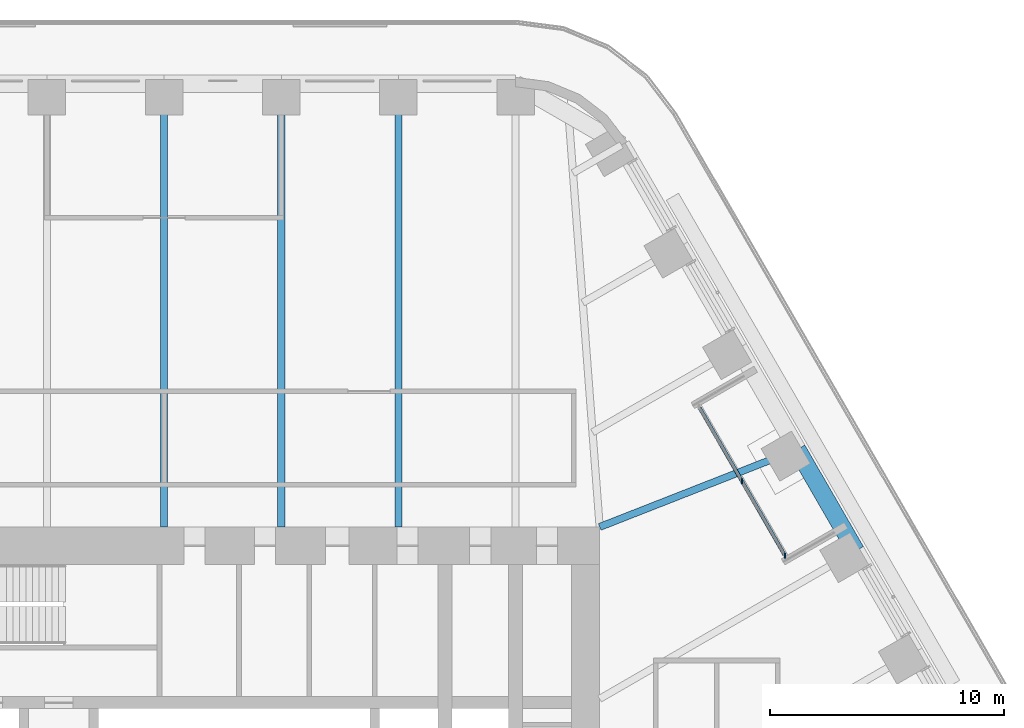
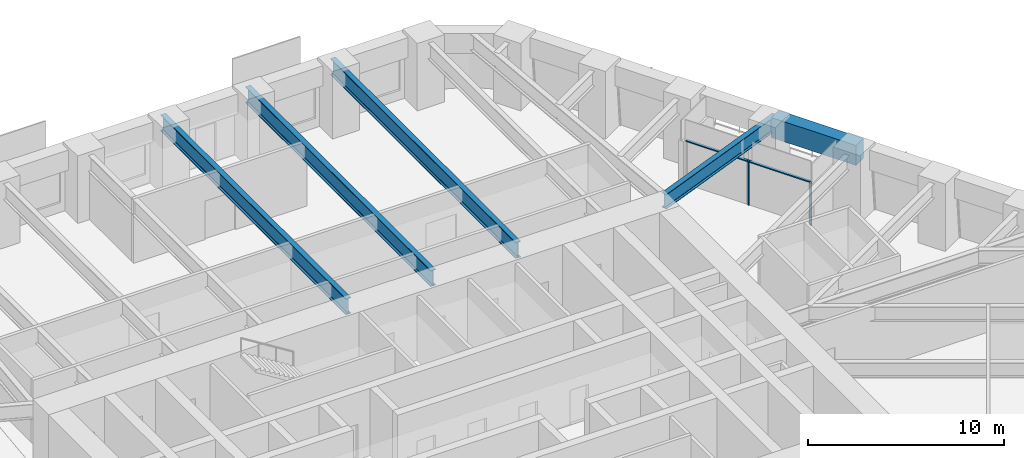
# One storey, part 11 of 24: 5 beams, 3 members, 1 element without a shape of its own.
"""IFC4 building model written with IfcOpenShell, lengths in metres."""

from ifc_helpers import new_model, si_unit, direction, frame, origin, origin_2d, place, context, subcontext, project, spatial, rectangle, i_section, extrude, material, material_profile, profile_set, type_object, element, aggregate, save


model = new_model("IFC4")

# Units and contexts
model_context = context("Model", 3, precision=1e-05, world=origin(), true_north=direction((0.0, 1.0)))
body_context = subcontext(model_context, "Body", "Model", "MODEL_VIEW")
ifc_project = project(units=[si_unit("LENGTHUNIT", "METRE"), si_unit("AREAUNIT", "SQUARE_METRE"), si_unit("VOLUMEUNIT", "CUBIC_METRE"), si_unit("PLANEANGLEUNIT", "RADIAN"), si_unit("MASSUNIT", "GRAM", prefix="KILO")], contexts=[model_context])

# Site, building, storey
site_placement = place(None, origin())
site = spatial("IfcSite", under=ifc_project, at=site_placement, CompositionType="ELEMENT")
building_placement = place(site_placement, origin())
building = spatial("IfcBuilding", under=site, at=building_placement, Name="Tarfa Lantern Tower", CompositionType="ELEMENT")
storey_placement = place(building_placement, frame((0.0, 0.0, 153.10009765625)))
storey = spatial("IfcBuildingStorey", under=building, at=storey_placement, Name="L34", CompositionType="ELEMENT", Elevation=153.10009765625)

# Curtain wall, members
ifc_material_1 = material(Name="Aluminium framed curtain wall", Category="aluminium")
curtain_wall_type = type_object("IfcCurtainWallType", Name="CW10 LOGGIA GLAZING 2750", PredefinedType="USERDEFINED", material=ifc_material_1)
curtain_wall_placement = place(storey_placement, origin())
curtain_wall = element("IfcCurtainWall", 1, at=curtain_wall_placement, inside=storey, type_object=curtain_wall_type, Name="CW10 NEL L34", ObjectType="CURTAIN WALL", PredefinedType="USERDEFINED")
ifc_material_2 = material(Name="Aluminium mullion", Category="aluminium")
ifc_material_profile_1 = material_profile(ifc_material_2, rectangle(XDim=0.06494140625, YDim=0.199951171875, at=origin_2d()), Name="AL MULLION 65x200")
ifc_profile_set_1 = profile_set([ifc_material_profile_1], Name="Aluminium mullion")
member_type_1 = type_object("IfcMemberType", Name="CWM1 MULLION 65x200", PredefinedType="MULLION", material=ifc_profile_set_1)
member_1_placement = place(storey_placement, frame((26.517333984375, 11.070556640625, 0.0), z_axis=(0.0, 0.0, 1.0), x_axis=(1.0, 0.0, 0.0)))
member_1 = element("IfcMember", 2, at=member_1_placement, type_object=member_type_1, Name="CW10 mullion 1", PredefinedType="MULLION", context=body_context, shape_type="SweptSolid", body=[
    extrude(rectangle(XDim=0.06494140625, YDim=0.199951171875, at=origin_2d()), origin(), (0.0, 0.0, 1.0), 2.75),
])
member_2_placement = place(storey_placement, frame((24.681640625, 14.25, 0.0), z_axis=(0.0, 0.0, 1.0), x_axis=(1.0, 0.0, 0.0)))
member_2 = element("IfcMember", 3, at=member_2_placement, type_object=member_type_1, Name="CW10 mullion 2", PredefinedType="MULLION", context=body_context, shape_type="SweptSolid", body=[
    extrude(rectangle(XDim=0.06494140625, YDim=0.199951171875, at=origin_2d()), origin(), (0.0, 0.0, 1.0), 2.75),
])
ifc_material_3 = material(Name="Aluminium transom", Category="aluminium")
ifc_material_profile_2 = material_profile(ifc_material_3, rectangle(XDim=0.14990234375, YDim=0.06494140625, at=origin_2d()), Name="AL TRANSOM 150x65")
ifc_profile_set_2 = profile_set([ifc_material_profile_2], Name="Aluminium transom")
member_type_2 = type_object("IfcMemberType", Name="CWT1 TRANSOM 150x65", PredefinedType="USERDEFINED", material=ifc_profile_set_2)
member_3_placement = place(storey_placement, frame((26.5009765625, 11.098876953125, 2.71728515625), z_axis=(-0.500007048974, 0.866021334019, 0.0), x_axis=(-0.866021334019, -0.500007048974, 0.0)))
member_3 = element("IfcMember", 4, at=member_3_placement, type_object=member_type_2, Name="CW10 transom 1.2", ObjectType="TRANSOM", PredefinedType="USERDEFINED", context=body_context, shape_type="SweptSolid", body=[
    extrude(rectangle(XDim=0.14990234375, YDim=0.06494140625, at=origin_2d()), origin(), (0.0, 0.0, 1.0), 7.27734375),
])
aggregate(curtain_wall, [member_1, member_2, member_3])

# Beams
ifc_material_4 = material(Name="Concrete C80/95", Category="concrete")
ifc_material_profile_3 = material_profile(ifc_material_4, rectangle(XDim=0.75, YDim=1.25, at=origin_2d()), Name="RC 750x1250")
ifc_profile_set_3 = profile_set([ifc_material_profile_3], Name="Concrete C80/95")
beam_type_1 = type_object("IfcBeamType", Name="EB2 RC 750x1250", PredefinedType="SPANDREL", material=ifc_profile_set_3)
beam_1_placement = place(storey_placement, frame((29.5390625, 11.276611328125, 3.375), z_axis=(-0.499964603504, 0.866045838996, 0.0), x_axis=(-0.866045838996, -0.499964603504, 0.0)))
element("IfcBeam", 5, at=beam_1_placement, inside=storey, type_object=beam_type_1, Name="Edge beam NE2", PredefinedType="SPANDREL", context=body_context, shape_type="SweptSolid", body=[
    extrude(rectangle(XDim=0.75, YDim=1.25, at=origin_2d()), origin(), (0.0, 0.0, 1.0), 5.003662109375),
])
ifc_material_5 = material(Name="Steel S460M", Category="steel")
ifc_material_profile_4 = material_profile(ifc_material_5, i_section(OverallWidth=0.302001953125, OverallDepth=1.008056640625, WebThickness=0.02099609375, FlangeThickness=0.0400390625, FilletRadius=0.030029296875, at=origin_2d()), Name="UB1016x305x349")
ifc_profile_set_4 = profile_set([ifc_material_profile_4], Name="Steel S460M")
beam_type_2 = type_object("IfcBeamType", Name="UB1016x305x349", PredefinedType="BEAM", material=ifc_profile_set_4)
for number, where, z_axis, x_axis, name in (
    (6, (10.00732421875, 31.219970703125, 3.495849609375), (0.0, -1.0, 0.0), (1.0, 0.0, 0.0), "Floor beam N1"),
    (7, (5.003662109375, 31.219970703125, 3.495849609375), (0.0, -1.0, 0.0), (1.0, 0.0, 0.0), "Floor beam N2"),
    (8, (0.0, 31.219970703125, 3.495849609375), (0.0, -1.0, 0.0), (1.0, 0.0, 0.0), "Floor beam N3"),
):
    element("IfcBeam", number, at=place(storey_placement, frame(where, z_axis=z_axis, x_axis=x_axis)), inside=storey, type_object=beam_type_2, Name=name, PredefinedType="BEAM", context=body_context, shape_type="SweptSolid", body=[
        extrude(i_section(OverallWidth=0.302001953125, OverallDepth=1.008056640625, WebThickness=0.02099609375, FlangeThickness=0.0400390625, FilletRadius=0.030029296875, at=origin_2d()), origin(), (0.0, 0.0, 1.0), 18.919921875),
    ])
ifc_material_profile_5 = material_profile(ifc_material_5, i_section(OverallWidth=0.305419921875, OverallDepth=0.91845703125, WebThickness=0.017333984375, FlangeThickness=0.02783203125, FilletRadius=0.01904296875, at=origin_2d()), Name="UB914x305x253")
ifc_profile_set_5 = profile_set([ifc_material_profile_5], Name="Steel S460M")
beam_type_3 = type_object("IfcBeamType", Name="UB914x305x253", PredefinedType="BEAM", material=ifc_profile_set_5)
beam_2_placement = place(storey_placement, frame((27.037353515625, 15.610107421875, 3.540771484375), z_axis=(-0.930923282782, -0.365214788274, 0.0), x_axis=(0.365214788274, -0.930923282782, 0.0)))
element("IfcBeam", 9, at=beam_2_placement, inside=storey, type_object=beam_type_3, Name="Floor beam NE3", PredefinedType="BEAM", context=body_context, shape_type="SweptSolid", body=[
    extrude(i_section(OverallWidth=0.305419921875, OverallDepth=0.91845703125, WebThickness=0.017333984375, FlangeThickness=0.02783203125, FilletRadius=0.01904296875, at=origin_2d()), origin(), (0.0, 0.0, 1.0), 9.063232421875),
])

save(model, "model.ifc")
